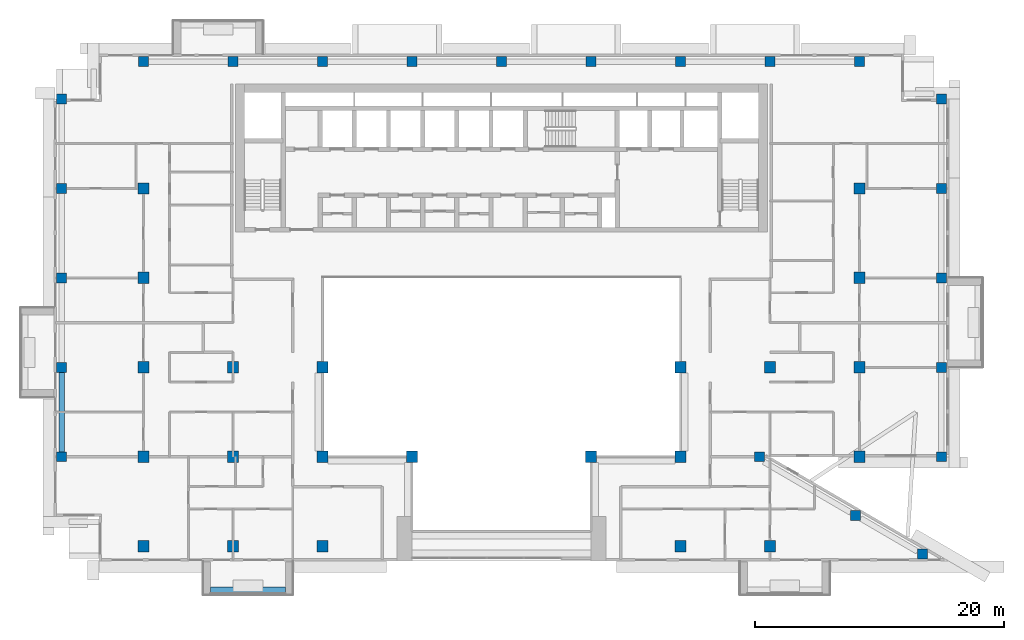
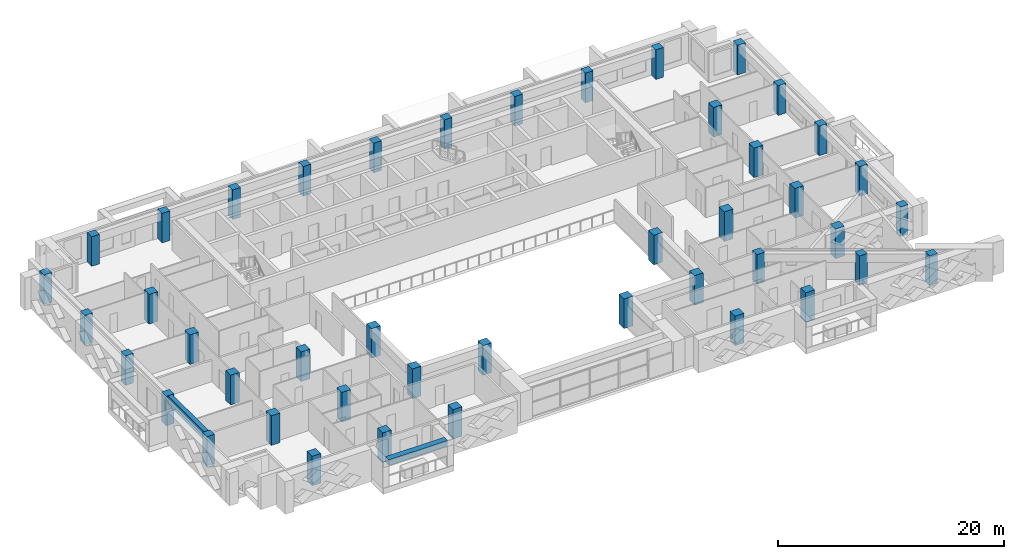
# One storey, part 1 of 20: 44 columns, 2 beams.
"""IFC4 building model written with IfcOpenShell, lengths in metres."""

from ifc_helpers import new_model, si_unit, direction, frame, origin, origin_2d, place, context, subcontext, project, spatial, rectangle, extrude, source, transform, mapped, material, material_profile, profile_set, type_object, element, save


model = new_model("IFC4")

# Units and contexts
model_context = context("Model", 3, precision=1e-05, world=origin(), true_north=direction((0.0, 1.0)))
body_context = subcontext(model_context, "Body", "Model", "MODEL_VIEW")
ifc_project = project(units=[si_unit("LENGTHUNIT", "METRE"), si_unit("AREAUNIT", "SQUARE_METRE"), si_unit("VOLUMEUNIT", "CUBIC_METRE"), si_unit("PLANEANGLEUNIT", "RADIAN"), si_unit("MASSUNIT", "GRAM", prefix="KILO")], contexts=[model_context])

# Site, building, storey
site_placement = place(None, origin())
site = spatial("IfcSite", under=ifc_project, at=site_placement, CompositionType="ELEMENT")
building_placement = place(site_placement, origin())
building = spatial("IfcBuilding", under=site, at=building_placement, Name="Saffron Iwan Residences", CompositionType="ELEMENT")
storey_placement = place(building_placement, frame((0.0, 0.0, 181.5)))
storey = spatial("IfcBuildingStorey", under=building, at=storey_placement, Name="L48", CompositionType="ELEMENT", Elevation=181.5)

# Columns
ifc_material_1 = material(Name="Concrete C50/60", Category="concrete")
ifc_material_profile_1 = material_profile(ifc_material_1, rectangle(XDim=0.89990234375, YDim=0.89990234375, at=origin_2d()), Name="RC 900x900")
ifc_profile_set_1 = profile_set([ifc_material_profile_1], Name="Concrete C50/60")
column_type_1 = type_object("IfcColumnType", Name="COL RC 900x900 C50/60 3200 HIGH", PredefinedType="COLUMN", material=ifc_profile_set_1)
shared_shape_1 = source(origin(), body_context, "Body", "SweptSolid", [
    extrude(rectangle(XDim=0.89990234375, YDim=0.89990234375, at=origin_2d()), origin(), (0.0, 0.0, 1.0), 3.199951171875),
])
for number, where, z_axis, x_axis, name in (
    (1, (21.60009765625, 40.800048828125, 0.0), (0.0, 0.0, 1.0), (1.0, 0.0, 0.0), "Column C049"),
    (2, (28.800048828125, 40.800048828125, 0.0), (0.0, 0.0, 1.0), (1.0, 0.0, 0.0), "Column C051"),
    (3, (36.0, 40.800048828125, 0.0), (0.0, 0.0, 1.0), (1.0, 0.0, 0.0), "Column C052"),
    (4, (64.800048828125, 40.800048828125, 0.0), (0.0, 0.0, 1.0), (1.0, 0.0, 0.0), "Column C055"),
    (5, (72.0, 40.800048828125, 0.0), (0.0, 0.0, 1.0), (1.0, 0.0, 0.0), "Column C056"),
    (6, (21.60009765625, 48.0, 0.0), (0.0, 0.0, 1.0), (1.0, 0.0, 0.0), "Column C063"),
    (7, (28.800048828125, 48.0, 0.0), (0.0, 0.0, 1.0), (1.0, 0.0, 0.0), "Column C064"),
    (8, (36.0, 48.0, 0.0), (0.0, 0.0, 1.0), (1.0, 0.0, 0.0), "Column C065"),
    (9, (43.199951171875, 48.0, 0.0), (0.0, 0.0, 1.0), (1.0, 0.0, 0.0), "Column C066"),
    (10, (57.60009765625, 48.0, 0.0), (0.0, 0.0, 1.0), (1.0, 0.0, 0.0), "Column C068"),
    (11, (64.800048828125, 48.0, 0.0), (0.0, 0.0, 1.0), (1.0, 0.0, 0.0), "Column C069"),
    (12, (79.199951171875, 48.0, 0.0), (0.0, 0.0, 1.0), (1.0, 0.0, 0.0), "Column C072"),
    (13, (21.60009765625, 55.199951171875, 0.0), (0.0, 0.0, 1.0), (1.0, 0.0, 0.0), "Column C079"),
    (14, (28.800048828125, 55.199951171875, 0.0), (0.0, 0.0, 1.0), (1.0, 0.0, 0.0), "Column C080"),
    (15, (36.0, 55.199951171875, 0.0), (0.0, 0.0, 1.0), (1.0, 0.0, 0.0), "Column C081"),
    (16, (64.800048828125, 55.199951171875, 0.0), (0.0, 0.0, 1.0), (1.0, 0.0, 0.0), "Column C082"),
    (17, (72.0, 55.199951171875, 0.0), (0.0, 0.0, 1.0), (1.0, 0.0, 0.0), "Column C083"),
    (18, (79.199951171875, 55.199951171875, 0.0), (0.0, 0.0, 1.0), (1.0, 0.0, 0.0), "Column C084"),
    (19, (21.60009765625, 62.39990234375, 0.0), (0.0, 0.0, 1.0), (1.0, 0.0, 0.0), "Column C091"),
    (20, (79.199951171875, 62.39990234375, 0.0), (0.0, 0.0, 1.0), (1.0, 0.0, 0.0), "Column C092"),
    (21, (21.60009765625, 69.60009765625, 0.0), (0.0, 0.0, 1.0), (1.0, 0.0, 0.0), "Column C099"),
    (22, (79.199951171875, 69.60009765625, 0.0), (0.0, 0.0, 1.0), (1.0, 0.0, 0.0), "Column C100"),
):
    element("IfcColumn", number, at=place(storey_placement, frame(where, z_axis=z_axis, x_axis=x_axis)), inside=storey, type_object=column_type_1, Name=name, PredefinedType="COLUMN", context=body_context, shape_type="MappedRepresentation", body=[
        mapped(shared_shape_1, transform((0.0, 0.0, 0.0))),
    ])
ifc_material_profile_2 = material_profile(ifc_material_1, rectangle(XDim=0.800048828125, YDim=0.800048828125, at=origin_2d()), Name="RC 800x800")
ifc_profile_set_2 = profile_set([ifc_material_profile_2], Name="Concrete C50/60")
column_type_2 = type_object("IfcColumnType", Name="COL RC 800x800 C50/60 3200 HIGH", PredefinedType="COLUMN", material=ifc_profile_set_2)
shared_shape_2 = source(origin(), body_context, "Body", "SweptSolid", [
    extrude(rectangle(XDim=0.800048828125, YDim=0.800048828125, at=origin_2d()), origin(), (0.0, 0.0, 1.0), 3.199951171875),
])
for number, where, z_axis, x_axis, name in (
    (23, (84.276123046875, 40.17431640625, 0.0), (0.0, 0.0, 1.0), (1.0, 0.0, 0.0), "Column C045"),
    (24, (78.897705078125, 43.28173828125, 0.0), (0.0, 0.0, 1.0), (1.0, 0.0, 0.0), "Column C058"),
    (25, (15.0, 48.0, 0.0), (0.0, 0.0, 1.0), (1.0, 0.0, 0.0), "Column C061"),
    (26, (71.14990234375, 48.0, 0.0), (0.0, 0.0, 1.0), (1.0, 0.0, 0.0), "Column C070"),
    (27, (85.800048828125, 48.0, 0.0), (0.0, 0.0, 1.0), (1.0, 0.0, 0.0), "Column C074"),
    (28, (15.0, 55.199951171875, 0.0), (0.0, 0.0, 1.0), (1.0, 0.0, 0.0), "Column C077"),
    (29, (85.800048828125, 55.199951171875, 0.0), (0.0, 0.0, 1.0), (1.0, 0.0, 0.0), "Column C086"),
    (30, (15.0, 62.39990234375, 0.0), (0.0, 0.0, 1.0), (1.0, 0.0, 0.0), "Column C089"),
    (31, (85.800048828125, 62.39990234375, 0.0), (0.0, 0.0, 1.0), (1.0, 0.0, 0.0), "Column C094"),
    (32, (15.0, 69.60009765625, 0.0), (0.0, 0.0, 1.0), (1.0, 0.0, 0.0), "Column C097"),
    (33, (85.800048828125, 69.60009765625, 0.0), (0.0, 0.0, 1.0), (1.0, 0.0, 0.0), "Column C102"),
    (34, (15.0, 76.800048828125, 0.0), (0.0, 0.0, 1.0), (1.0, 0.0, 0.0), "Column C105"),
    (35, (85.800048828125, 76.800048828125, 0.0), (0.0, 0.0, 1.0), (1.0, 0.0, 0.0), "Column C110"),
    (36, (21.60009765625, 79.800048828125, 0.0), (0.0, 0.0, 1.0), (1.0, 0.0, 0.0), "Column C113"),
    (37, (28.800048828125, 79.800048828125, 0.0), (0.0, 0.0, 1.0), (1.0, 0.0, 0.0), "Column C115"),
    (38, (36.0, 79.800048828125, 0.0), (0.0, 0.0, 1.0), (1.0, 0.0, 0.0), "Column C116"),
    (39, (43.199951171875, 79.800048828125, 0.0), (0.0, 0.0, 1.0), (1.0, 0.0, 0.0), "Column C117"),
    (40, (50.39990234375, 79.800048828125, 0.0), (0.0, 0.0, 1.0), (1.0, 0.0, 0.0), "Column C118"),
    (41, (57.60009765625, 79.800048828125, 0.0), (0.0, 0.0, 1.0), (1.0, 0.0, 0.0), "Column C119"),
    (42, (64.800048828125, 79.800048828125, 0.0), (0.0, 0.0, 1.0), (1.0, 0.0, 0.0), "Column C120"),
    (43, (72.0, 79.800048828125, 0.0), (0.0, 0.0, 1.0), (1.0, 0.0, 0.0), "Column C121"),
    (44, (79.199951171875, 79.800048828125, 0.0), (0.0, 0.0, 1.0), (1.0, 0.0, 0.0), "Column C123"),
):
    element("IfcColumn", number, at=place(storey_placement, frame(where, z_axis=z_axis, x_axis=x_axis)), inside=storey, type_object=column_type_2, Name=name, PredefinedType="COLUMN", context=body_context, shape_type="MappedRepresentation", body=[
        mapped(shared_shape_2, transform((0.0, 0.0, 0.0))),
    ])

# Beams
ifc_material_profile_3 = material_profile(ifc_material_1, rectangle(XDim=0.449951171875, YDim=0.89990234375, at=origin_2d()), Name="RC 450x900")
ifc_profile_set_3 = profile_set([ifc_material_profile_3], Name="Concrete C50/60")
beam_type_1 = type_object("IfcBeamType", Name="SPANDREL BEAM RC 450x900 C50/60 TOP 3200", PredefinedType="SPANDREL", material=ifc_profile_set_3)
shared_shape_3 = source(origin(), body_context, "Body", "SweptSolid", [
    extrude(rectangle(XDim=0.449951171875, YDim=0.89990234375, at=origin_2d()), origin(), (0.0, 0.0, 1.0), 6.400146484375),
])
beam_1_placement = place(storey_placement, frame((15.0, 48.39990234375, 2.75), z_axis=(0.0, 1.0, 0.0), x_axis=(-1.0, 0.0, 0.0)))
element("IfcBeam", 45, at=beam_1_placement, inside=storey, type_object=beam_type_1, Name="Spandrel beam", PredefinedType="SPANDREL", context=body_context, shape_type="MappedRepresentation", body=[
    mapped(shared_shape_3, transform((0.0, 0.0, 0.0))),
])
ifc_material_2 = material(Name="Concrete C50/60 white painted", Category="concrete")
ifc_material_profile_4 = material_profile(ifc_material_2, rectangle(XDim=0.60009765625, YDim=0.60009765625, at=origin_2d()), Name="BALCONY FASCIA BEAM 600 x 600")
ifc_profile_set_4 = profile_set([ifc_material_profile_4], Name="Concrete C50/60 white painted")
beam_type_2 = type_object("IfcBeamType", Name="BALCONY FASCIA BEAM 600 x 600", PredefinedType="BEAM", material=ifc_profile_set_4)
shared_shape_4 = source(origin(), body_context, "Body", "SweptSolid", [
    extrude(rectangle(XDim=0.60009765625, YDim=0.60009765625, at=origin_2d()), origin(), (0.0, 0.0, 1.0), 6.0),
])
beam_2_placement = place(storey_placement, frame((27.0, 37.199951171875, 2.550048828125), z_axis=(1.0, 0.0, 0.0), x_axis=(0.0, 1.0, 0.0)))
element("IfcBeam", 46, at=beam_2_placement, inside=storey, type_object=beam_type_2, Name="Balcony fascia beam L48 11-0", PredefinedType="BEAM", context=body_context, shape_type="MappedRepresentation", body=[
    mapped(shared_shape_4, transform((0.0, 0.0, 0.0))),
])

save(model, "model.ifc")
